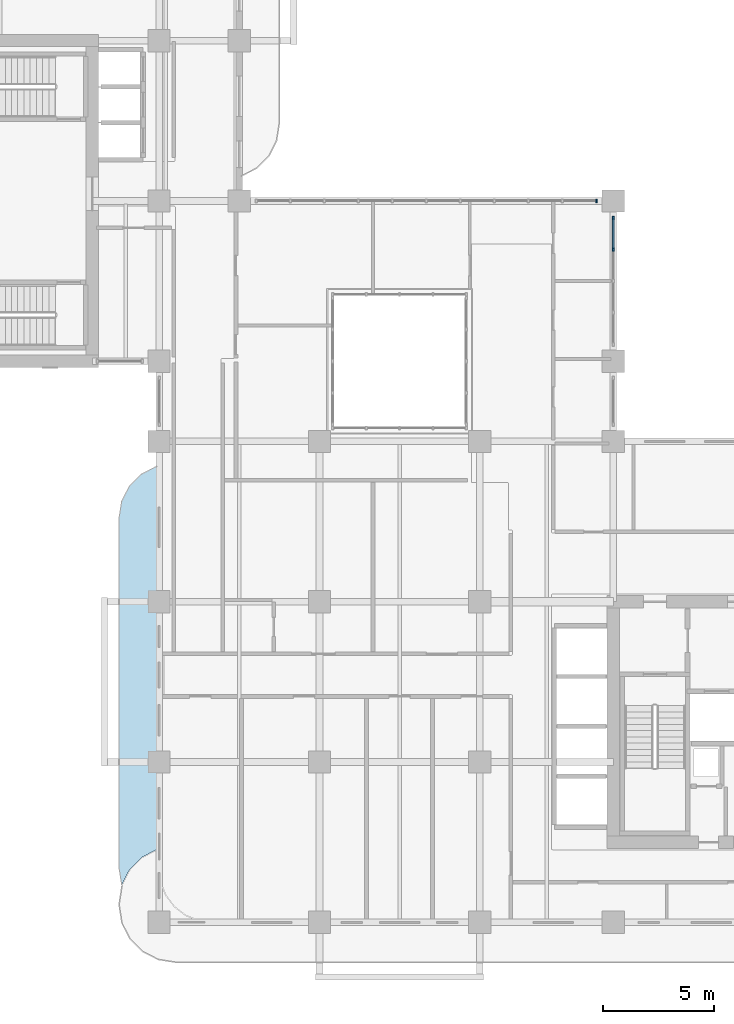
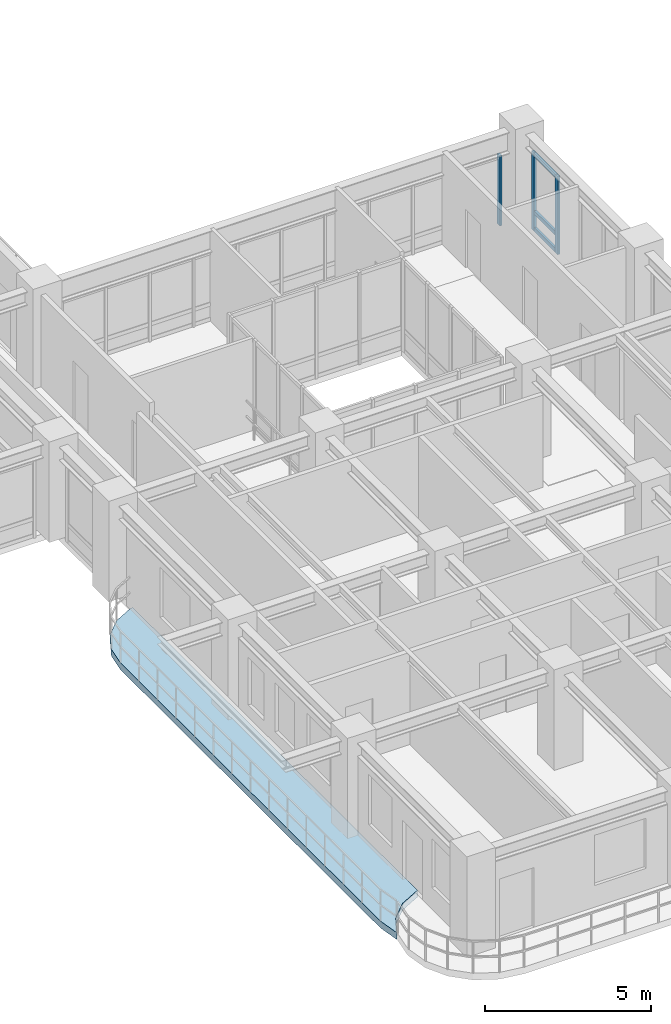
# One storey, part 7 of 21: 6 members, 1 slab, 2 elements without a shape of their own.
"""IFC4 building model written with IfcOpenShell, lengths in metres."""

from ifc_helpers import new_model, si_unit, derived_unit, direction, frame, origin, origin_2d, place, context, subcontext, project, spatial, polyline, rectangle, outline, extrude, source, transform, mapped, material, layer, layer_set, material_profile, profile_set, type_object, element, aggregate, save


model = new_model("IFC4")

# Units and contexts
model_context = context("Model", 3, precision=1e-05, world=origin(), true_north=direction((0.0, 1.0)))
body_context = subcontext(model_context, "Body", "Model", "MODEL_VIEW")
ifc_project = project(units=[si_unit("LENGTHUNIT", "METRE"), si_unit("AREAUNIT", "SQUARE_METRE"), si_unit("VOLUMEUNIT", "CUBIC_METRE"), si_unit("PLANEANGLEUNIT", "RADIAN"), si_unit("MASSUNIT", "GRAM", prefix="KILO"), si_unit("THERMODYNAMICTEMPERATUREUNIT", "KELVIN"), si_unit("POWERUNIT", "WATT"), derived_unit("THERMALTRANSMITTANCEUNIT", [(si_unit("POWERUNIT", "WATT"), 1), (si_unit("AREAUNIT", "SQUARE_METRE"), -1), (si_unit("THERMODYNAMICTEMPERATUREUNIT", "KELVIN"), -1)])], contexts=[model_context])

# Site, building, storey
site_placement = place(None, origin())
site = spatial("IfcSite", under=ifc_project, at=site_placement, CompositionType="ELEMENT")
building_placement = place(site_placement, origin())
building = spatial("IfcBuilding", under=site, at=building_placement, Name="Zahravan Archway Hotel and Residences", CompositionType="ELEMENT")
storey_placement = place(building_placement, frame((0.0, 0.0, 141.39990234375)))
storey = spatial("IfcBuildingStorey", under=building, at=storey_placement, Name="L35", CompositionType="ELEMENT", Elevation=141.39990234375)

# Curtain wall, members
ifc_material_1 = material(Name="Bronze-Anodized Unitised Aluminium & Low-E Glass", Category="aluminium")
ifc_layer_1 = layer(ifc_material_1, 0.179931640625, Name="Bronze-Anodized Unitised Aluminium & Low-E Glass", Category="aluminium")
ifc_layer_set_1 = layer_set([ifc_layer_1], Name="Bronze-Anodized Unitised Aluminium & Low-E Glass")
curtain_wall_type = type_object("IfcCurtainWallType", Name="CW-ATR-GLAZ", PredefinedType="NOTDEFINED", material=ifc_layer_set_1)
curtain_wall_1_placement = place(storey_placement, origin())
curtain_wall_1 = element("IfcCurtainWall", 1, at=curtain_wall_1_placement, inside=storey, type_object=curtain_wall_type, Name="L35 Curtain Wall CW-L35-HNG-E-2", PredefinedType="NOTDEFINED")
ifc_material_2 = material(Name="Bronze-Anodized Extruded Aluminium", Category="aluminium")
ifc_material_profile_1 = material_profile(ifc_material_2, rectangle(XDim=0.080078125, YDim=0.139892578125, at=origin_2d()), Name="TRN 80x140", Category="aluminium")
ifc_profile_set_1 = profile_set([ifc_material_profile_1], Name="Bronze-Anodized Extruded Aluminium")
member_type_1 = type_object("IfcMemberType", Name="CWM-TRN-140", PredefinedType="USERDEFINED", material=ifc_profile_set_1)
shared_shape_1 = source(origin(), body_context, "Body", "SweptSolid", [
    extrude(rectangle(XDim=0.080078125, YDim=0.139892578125, at=origin_2d()), origin(), (0.0, 0.0, 1.0), 1.340087890625),
])
member_1_placement = place(storey_placement, frame((34.800048828125, 30.260009765625, 0.070068359375), z_axis=(0.0, 1.0, 0.0), x_axis=(-1.0, 0.0, 0.0)))
member_1 = element("IfcMember", 2, at=member_1_placement, type_object=member_type_1, Name="CW-L35-HNG-E-2 Transom 3-1", ObjectType="TRANSOM", PredefinedType="USERDEFINED", context=body_context, shape_type="MappedRepresentation", body=[
    mapped(shared_shape_1, transform((0.0, 0.0, 0.0), scale=1.0)),
])
member_2_placement = place(storey_placement, frame((34.800048828125, 30.260009765625, 0.6923828125), z_axis=(0.0, 1.0, 0.0), x_axis=(-1.0, 0.0, 0.0)))
member_2 = element("IfcMember", 3, at=member_2_placement, type_object=member_type_1, Name="CW-L35-HNG-E-2 Transom 3-2", ObjectType="TRANSOM", PredefinedType="USERDEFINED", context=body_context, shape_type="MappedRepresentation", body=[
    mapped(shared_shape_1, transform((0.0, 0.0, 0.0), scale=1.0)),
])
member_3_placement = place(storey_placement, frame((34.800048828125, 30.260009765625, 2.815185546875), z_axis=(0.0, 1.0, 0.0), x_axis=(-1.0, 0.0, 0.0)))
member_3 = element("IfcMember", 4, at=member_3_placement, type_object=member_type_1, Name="CW-L35-HNG-E-2 Transom 3-3", ObjectType="TRANSOM", PredefinedType="USERDEFINED", context=body_context, shape_type="MappedRepresentation", body=[
    mapped(shared_shape_1, transform((0.0, 0.0, 0.0), scale=1.0)),
])
ifc_material_profile_2 = material_profile(ifc_material_2, rectangle(XDim=0.080078125, YDim=0.159912109375, at=origin_2d()), Name="MUL 80x160", Category="aluminium")
ifc_profile_set_2 = profile_set([ifc_material_profile_2], Name="Bronze-Anodized Extruded Aluminium")
member_type_2 = type_object("IfcMemberType", Name="CWM-MUL-160", PredefinedType="MULLION", material=ifc_profile_set_2)
shared_shape_2 = source(origin(), body_context, "Body", "SweptSolid", [
    extrude(rectangle(XDim=0.080078125, YDim=0.159912109375, at=origin_2d()), origin(), (0.0, 0.0, 1.0), 2.885009765625),
])
member_4_placement = place(storey_placement, frame((34.800048828125, 30.219970703125, 0.0), z_axis=(0.0, 0.0, 1.0), x_axis=(1.0, 0.0, 0.0)))
member_4 = element("IfcMember", 5, at=member_4_placement, type_object=member_type_2, Name="CW-L35-HNG-E-2 Mullion 3", PredefinedType="MULLION", context=body_context, shape_type="MappedRepresentation", body=[
    mapped(shared_shape_2, transform((0.0, 0.0, 0.0), scale=1.0)),
])
member_5_placement = place(storey_placement, frame((34.800048828125, 31.639892578125, 0.0), z_axis=(0.0, 0.0, 1.0), x_axis=(1.0, 0.0, 0.0)))
member_5 = element("IfcMember", 6, at=member_5_placement, type_object=member_type_2, Name="CW-L35-HNG-E-2 Mullion 4", PredefinedType="MULLION", context=body_context, shape_type="MappedRepresentation", body=[
    mapped(shared_shape_2, transform((0.0, 0.0, 0.0), scale=1.0)),
])
aggregate(curtain_wall_1, [member_4, member_5, member_1, member_2, member_3])

# Curtain wall, member
curtain_wall_2_placement = place(storey_placement, origin())
curtain_wall_2 = element("IfcCurtainWall", 7, at=curtain_wall_2_placement, inside=storey, type_object=curtain_wall_type, Name="L35 Curtain Wall CW-L35-HNG-N-1", PredefinedType="NOTDEFINED")
shared_shape_3 = source(origin(), body_context, "Body", "SweptSolid", [
    extrude(rectangle(XDim=0.080078125, YDim=0.159912109375, at=origin_2d()), origin(), (0.0, 0.0, 1.0), 2.585205078125),
])
member_6_placement = place(storey_placement, frame((34.0400390625, 32.39990234375, 0.0), z_axis=(0.0, 0.0, 1.0), x_axis=(1.0, 0.0, 0.0)))
member_6 = element("IfcMember", 8, at=member_6_placement, type_object=member_type_2, Name="CW-L35-HNG-N-1 Mullion 10", PredefinedType="MULLION", context=body_context, shape_type="MappedRepresentation", body=[
    mapped(shared_shape_3, transform((0.0, 0.0, 0.0), scale=1.0)),
])
aggregate(curtain_wall_2, [member_6])

# Slab
ifc_material_3 = material(Name="Concrete C45/55", Category="concrete")
ifc_layer_2 = layer(ifc_material_3, 0.25, Name="Concrete C45/55", Category="concrete")
ifc_layer_set_2 = layer_set([ifc_layer_2], Name="Concrete C45/55")
slab_type = type_object("IfcSlabType", Name="SLB-BALC-250", PredefinedType="FLOOR", material=ifc_layer_set_2)
slab_placement = place(storey_placement, frame((0.0, 0.0, -0.25)))
element("IfcSlab", 9, at=slab_placement, inside=storey, type_object=slab_type, Name="L35 Wing A West Rounded Balcony Band", PredefinedType="FLOOR", context=body_context, shape_type="SweptSolid", body=[
    extrude(outline(polyline([(12.719970703125, 1.69287109375), (12.60009765625, 2.449951171875), (12.60009765625, 18.14990234375), (12.719970703125, 18.906982421875), (13.06787109375, 19.590087890625), (13.60986328125, 20.132080078125), (14.29296875, 20.47998046875), (14.3798828125, 20.493896484375), (14.3798828125, 3.298095703125), (14.37890625, 3.298095703125), (14.376953125, 3.2978515625), (14.35888671875, 3.294921875), (14.356689453125, 3.29443359375), (14.354736328125, 3.2939453125), (14.352783203125, 3.29296875), (13.64208984375, 2.930908203125), (13.64013671875, 2.9296875), (13.638427734375, 2.928466796875), (13.636962890625, 2.927001953125), (13.072998046875, 2.363037109375), (13.071533203125, 2.361572265625), (13.0703125, 2.35986328125), (13.069091796875, 2.35791015625), (12.72509765625, 1.6826171875), (12.719970703125, 1.69287109375)])), origin(), (0.0, 0.0, 1.0), 0.25),
])

save(model, "model.ifc")
